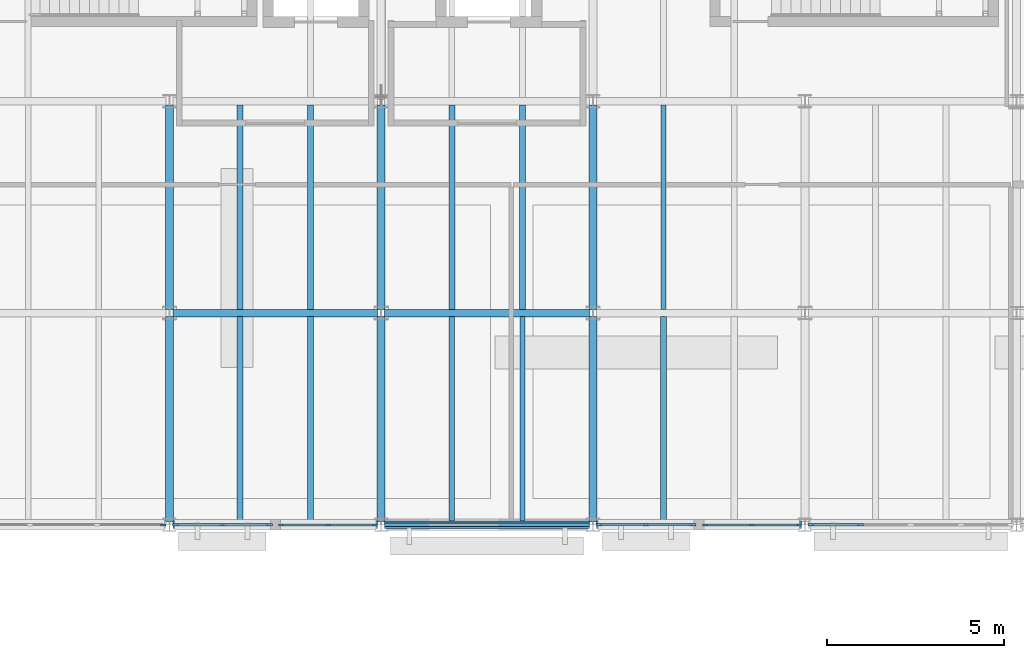
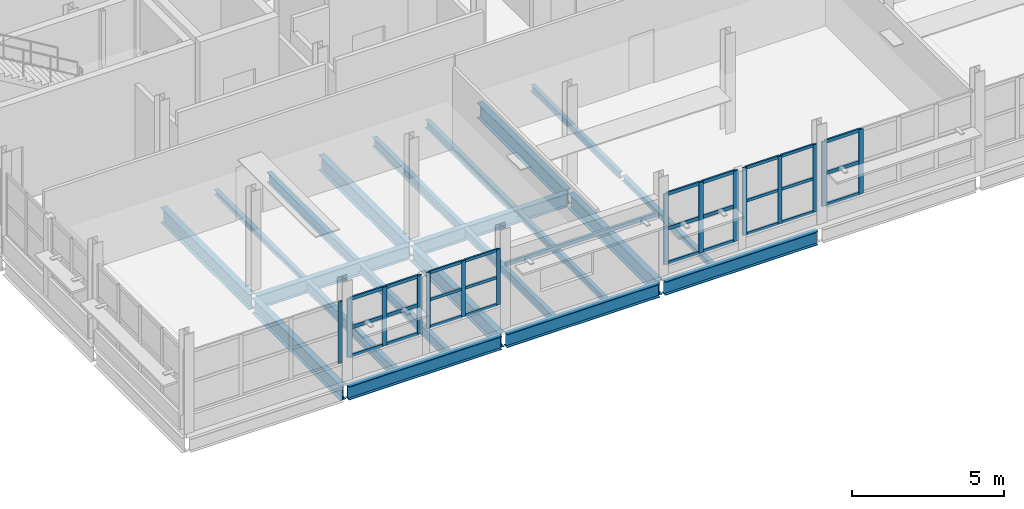
# One storey, part 39 of 92: 42 members, 22 beams, 6 elements without a shape of their own.
"""IFC4 building model written with IfcOpenShell, lengths in metres."""

from ifc_helpers import new_model, si_unit, direction, frame, origin, origin_2d, place, context, subcontext, project, spatial, rectangle, hollow_rectangle, i_section, extrude, material, material_profile, profile_set, type_object, element, aggregate, save


model = new_model("IFC4")

# Units and contexts
model_context = context("Model", 3, precision=1e-05, world=origin(), true_north=direction((0.0, 1.0)))
body_context = subcontext(model_context, "Body", "Model", "MODEL_VIEW")
ifc_project = project(units=[si_unit("LENGTHUNIT", "METRE"), si_unit("AREAUNIT", "SQUARE_METRE"), si_unit("VOLUMEUNIT", "CUBIC_METRE"), si_unit("PLANEANGLEUNIT", "RADIAN"), si_unit("MASSUNIT", "GRAM", prefix="KILO")], contexts=[model_context])

# Site, building, storey
site_placement = place(None, origin())
site = spatial("IfcSite", under=ifc_project, at=site_placement, CompositionType="ELEMENT")
building_placement = place(site_placement, origin())
building = spatial("IfcBuilding", under=site, at=building_placement, Name="Siltcreek Boulevard Central Fire Station", CompositionType="ELEMENT")
storey_placement = place(building_placement, frame((0.0, 0.0, 6.0)))
storey = spatial("IfcBuildingStorey", under=building, at=storey_placement, Name="L02", CompositionType="ELEMENT", Elevation=6.0)

# Beams
ifc_material_1 = material(Name="Structural steel ASTM A992 Gr50", Category="steel")
ifc_material_profile_1 = material_profile(ifc_material_1, i_section(OverallWidth=0.2109375, OverallDepth=0.5390625, WebThickness=0.01171875, FlangeThickness=0.018798828125, at=origin_2d()), Name="W530X109")
ifc_profile_set_1 = profile_set([ifc_material_profile_1], Name="Structural steel ASTM A992 Gr50")
beam_type_1 = type_object("IfcBeamType", Name="BM_W530X109", PredefinedType="BEAM", material=ifc_profile_set_1)
for number, where, z_axis, x_axis, name in (
    (1, (130.300048828125, 88.199951171875, -0.589599609375), (1.0, 0.0, 0.0), (0.0, 1.0, 0.0), "L02 primary steel girder GX-0170"),
    (2, (136.300048828125, 88.199951171875, -0.589599609375), (1.0, 0.0, 0.0), (0.0, 1.0, 0.0), "L02 primary steel girder GX-0171"),
    (3, (142.300048828125, 88.199951171875, -0.589599609375), (1.0, 0.0, 0.0), (0.0, 1.0, 0.0), "L02 primary steel girder GX-0172"),
    (4, (130.300048828125, 94.199951171875, -0.589599609375), (1.0, 0.0, 0.0), (0.0, 1.0, 0.0), "L02 primary steel girder GX-0177"),
    (5, (136.300048828125, 94.199951171875, -0.589599609375), (1.0, 0.0, 0.0), (0.0, 1.0, 0.0), "L02 primary steel girder GX-0178"),
):
    element("IfcBeam", number, at=place(storey_placement, frame(where, z_axis=z_axis, x_axis=x_axis)), inside=storey, type_object=beam_type_1, Name=name, PredefinedType="BEAM", context=body_context, shape_type="SweptSolid", body=[
        extrude(i_section(OverallWidth=0.2109375, OverallDepth=0.5390625, WebThickness=0.01171875, FlangeThickness=0.018798828125, at=origin_2d()), origin(), (0.0, 0.0, 1.0), 5.800048828125),
    ])
ifc_material_profile_2 = material_profile(ifc_material_1, i_section(OverallWidth=0.22802734375, OverallDepth=0.60791015625, WebThickness=0.01123046875, FlangeThickness=0.017333984375, at=origin_2d()), Name="W610X113")
ifc_profile_set_2 = profile_set([ifc_material_profile_2], Name="Structural steel ASTM A992 Gr50")
beam_type_2 = type_object("IfcBeamType", Name="BM_W610X113", PredefinedType="BEAM", material=ifc_profile_set_2)
for number, where, z_axis, x_axis, name in (
    (6, (130.199951171875, 88.300048828125, -0.6240234375), (0.0, 1.0, 0.0), (-1.0, 0.0, 0.0), "L02 primary steel girder GY-0208"),
    (7, (130.199951171875, 94.300048828125, -0.6240234375), (0.0, 1.0, 0.0), (-1.0, 0.0, 0.0), "L02 primary steel girder GY-0209"),
    (8, (136.199951171875, 88.300048828125, -0.6240234375), (0.0, 1.0, 0.0), (-1.0, 0.0, 0.0), "L02 primary steel girder GY-0211"),
    (9, (136.199951171875, 94.300048828125, -0.6240234375), (0.0, 1.0, 0.0), (-1.0, 0.0, 0.0), "L02 primary steel girder GY-0212"),
    (10, (142.199951171875, 88.300048828125, -0.6240234375), (0.0, 1.0, 0.0), (-1.0, 0.0, 0.0), "L02 primary steel girder GY-0215"),
    (11, (142.199951171875, 94.300048828125, -0.6240234375), (0.0, 1.0, 0.0), (-1.0, 0.0, 0.0), "L02 primary steel girder GY-0216"),
):
    element("IfcBeam", number, at=place(storey_placement, frame(where, z_axis=z_axis, x_axis=x_axis)), inside=storey, type_object=beam_type_2, Name=name, PredefinedType="BEAM", context=body_context, shape_type="SweptSolid", body=[
        extrude(i_section(OverallWidth=0.22802734375, OverallDepth=0.60791015625, WebThickness=0.01123046875, FlangeThickness=0.017333984375, at=origin_2d()), origin(), (0.0, 0.0, 1.0), 5.800048828125),
    ])

# Curtain wall, member
ifc_material_2 = material(Name="Anodized aluminum and low-E insulated glazing", Category="aluminium")
curtain_wall_type_1 = type_object("IfcCurtainWallType", Name="CW_SYS_04", PredefinedType="USERDEFINED", material=ifc_material_2)
curtain_wall_1_placement = place(storey_placement, origin())
curtain_wall_1 = element("IfcCurtainWall", 12, at=curtain_wall_1_placement, inside=storey, type_object=curtain_wall_type_1, Name="L02 V5 unitised curtain wall CW-123", ObjectType="CURTAIN WALL", PredefinedType="USERDEFINED")
ifc_material_3 = material(Name="Anodized 6063-T6 aluminum framing", Category="aluminium")
ifc_material_profile_3 = material_profile(ifc_material_3, rectangle(XDim=0.06005859375, YDim=0.14990234375, at=origin_2d()), Name="MULL60X150")
ifc_profile_set_3 = profile_set([ifc_material_profile_3], Name="Anodized 6063-T6 aluminum framing")
member_type_1 = type_object("IfcMemberType", Name="CWM_60X150", PredefinedType="MULLION", material=ifc_profile_set_3)
member_1_placement = place(storey_placement, frame((130.02490234375, 88.199951171875, 0.679931640625), z_axis=(0.0, 0.0, 1.0), x_axis=(0.0, 1.0, 0.0)))
member_1 = element("IfcMember", 13, at=member_1_placement, type_object=member_type_1, Name="CW-123 mullion 4", PredefinedType="MULLION", context=body_context, shape_type="SweptSolid", body=[
    extrude(rectangle(XDim=0.06005859375, YDim=0.14990234375, at=origin_2d()), origin(), (0.0, 0.0, 1.0), 2.47314453125),
])
aggregate(curtain_wall_1, [member_1])

# Curtain wall, members
curtain_wall_type_2 = type_object("IfcCurtainWallType", Name="CW_SYS_06", PredefinedType="USERDEFINED", material=ifc_material_2)
curtain_wall_2_placement = place(storey_placement, origin())
curtain_wall_2 = element("IfcCurtainWall", 14, at=curtain_wall_2_placement, inside=storey, type_object=curtain_wall_type_2, Name="L02 V5 unitised curtain wall CW-125", ObjectType="CURTAIN WALL", PredefinedType="USERDEFINED")
member_2_placement = place(storey_placement, frame((133.3701171875, 88.199951171875, 0.919921875), z_axis=(0.0, 0.0, 1.0), x_axis=(0.0, 1.0, 0.0)))
member_2 = element("IfcMember", 15, at=member_2_placement, type_object=member_type_1, Name="CW-125 mullion 1", PredefinedType="MULLION", context=body_context, shape_type="SweptSolid", body=[
    extrude(rectangle(XDim=0.06005859375, YDim=0.14990234375, at=origin_2d()), origin(), (0.0, 0.0, 1.0), 2.233154296875),
])
member_3_placement = place(storey_placement, frame((134.697509765625, 88.199951171875, 0.919921875), z_axis=(0.0, 0.0, 1.0), x_axis=(0.0, 1.0, 0.0)))
member_3 = element("IfcMember", 16, at=member_3_placement, type_object=member_type_1, Name="CW-125 mullion 2", PredefinedType="MULLION", context=body_context, shape_type="SweptSolid", body=[
    extrude(rectangle(XDim=0.06005859375, YDim=0.14990234375, at=origin_2d()), origin(), (0.0, 0.0, 1.0), 2.233154296875),
])
member_4_placement = place(storey_placement, frame((136.02490234375, 88.199951171875, 0.919921875), z_axis=(0.0, 0.0, 1.0), x_axis=(0.0, 1.0, 0.0)))
member_4 = element("IfcMember", 17, at=member_4_placement, type_object=member_type_1, Name="CW-125 mullion 3", PredefinedType="MULLION", context=body_context, shape_type="SweptSolid", body=[
    extrude(rectangle(XDim=0.06005859375, YDim=0.14990234375, at=origin_2d()), origin(), (0.0, 0.0, 1.0), 2.233154296875),
])

curtain_wall_type_3 = type_object("IfcCurtainWallType", Name="CW_SYS_08", PredefinedType="USERDEFINED", material=ifc_material_2)
curtain_wall_3_placement = place(storey_placement, origin())
curtain_wall_3 = element("IfcCurtainWall", 18, at=curtain_wall_3_placement, inside=storey, type_object=curtain_wall_type_3, Name="L02 V5 unitised curtain wall CW-127", ObjectType="CURTAIN WALL", PredefinedType="USERDEFINED")
member_5_placement = place(storey_placement, frame((145.3701171875, 88.199951171875, 0.43994140625), z_axis=(0.0, 0.0, 1.0), x_axis=(0.0, 1.0, 0.0)))
member_5 = element("IfcMember", 19, at=member_5_placement, type_object=member_type_1, Name="CW-127 mullion 1", PredefinedType="MULLION", context=body_context, shape_type="SweptSolid", body=[
    extrude(rectangle(XDim=0.06005859375, YDim=0.14990234375, at=origin_2d()), origin(), (0.0, 0.0, 1.0), 2.713134765625),
])
member_6_placement = place(storey_placement, frame((146.697509765625, 88.199951171875, 0.43994140625), z_axis=(0.0, 0.0, 1.0), x_axis=(0.0, 1.0, 0.0)))
member_6 = element("IfcMember", 20, at=member_6_placement, type_object=member_type_1, Name="CW-127 mullion 2", PredefinedType="MULLION", context=body_context, shape_type="SweptSolid", body=[
    extrude(rectangle(XDim=0.06005859375, YDim=0.14990234375, at=origin_2d()), origin(), (0.0, 0.0, 1.0), 2.713134765625),
])
member_7_placement = place(storey_placement, frame((148.02490234375, 88.199951171875, 0.43994140625), z_axis=(0.0, 0.0, 1.0), x_axis=(0.0, 1.0, 0.0)))
member_7 = element("IfcMember", 21, at=member_7_placement, type_object=member_type_1, Name="CW-127 mullion 3", PredefinedType="MULLION", context=body_context, shape_type="SweptSolid", body=[
    extrude(rectangle(XDim=0.06005859375, YDim=0.14990234375, at=origin_2d()), origin(), (0.0, 0.0, 1.0), 2.713134765625),
])

curtain_wall_type_4 = type_object("IfcCurtainWallType", Name="CW_SYS_05", PredefinedType="USERDEFINED", material=ifc_material_2)
curtain_wall_4_placement = place(storey_placement, origin())
curtain_wall_4 = element("IfcCurtainWall", 22, at=curtain_wall_4_placement, inside=storey, type_object=curtain_wall_type_4, Name="L02 V5 unitised curtain wall CW-124", ObjectType="CURTAIN WALL", PredefinedType="USERDEFINED")
ifc_material_profile_4 = material_profile(ifc_material_3, rectangle(XDim=0.06494140625, YDim=0.175048828125, at=origin_2d()), Name="MULL65X175")
ifc_profile_set_4 = profile_set([ifc_material_profile_4], Name="Anodized 6063-T6 aluminum framing")
member_type_2 = type_object("IfcMemberType", Name="CWM_65X175", PredefinedType="MULLION", material=ifc_profile_set_4)
member_8_placement = place(storey_placement, frame((130.37744140625, 88.199951171875, 0.800048828125), z_axis=(0.0, 0.0, 1.0), x_axis=(0.0, 1.0, 0.0)))
member_8 = element("IfcMember", 23, at=member_8_placement, type_object=member_type_2, Name="CW-124 mullion 1", PredefinedType="MULLION", context=body_context, shape_type="SweptSolid", body=[
    extrude(rectangle(XDim=0.06494140625, YDim=0.175048828125, at=origin_2d()), origin(), (0.0, 0.0, 1.0), 2.35302734375),
])
member_9_placement = place(storey_placement, frame((131.702392578125, 88.199951171875, 0.800048828125), z_axis=(0.0, 0.0, 1.0), x_axis=(0.0, 1.0, 0.0)))
member_9 = element("IfcMember", 24, at=member_9_placement, type_object=member_type_2, Name="CW-124 mullion 2", PredefinedType="MULLION", context=body_context, shape_type="SweptSolid", body=[
    extrude(rectangle(XDim=0.06494140625, YDim=0.175048828125, at=origin_2d()), origin(), (0.0, 0.0, 1.0), 2.35302734375),
])
member_10_placement = place(storey_placement, frame((133.027587890625, 88.199951171875, 0.800048828125), z_axis=(0.0, 0.0, 1.0), x_axis=(0.0, 1.0, 0.0)))
member_10 = element("IfcMember", 25, at=member_10_placement, type_object=member_type_2, Name="CW-124 mullion 3", PredefinedType="MULLION", context=body_context, shape_type="SweptSolid", body=[
    extrude(rectangle(XDim=0.06494140625, YDim=0.175048828125, at=origin_2d()), origin(), (0.0, 0.0, 1.0), 2.35302734375),
])

curtain_wall_type_5 = type_object("IfcCurtainWallType", Name="CW_SYS_07", PredefinedType="USERDEFINED", material=ifc_material_2)
curtain_wall_5_placement = place(storey_placement, origin())
curtain_wall_5 = element("IfcCurtainWall", 26, at=curtain_wall_5_placement, inside=storey, type_object=curtain_wall_type_5, Name="L02 V5 unitised curtain wall CW-126", ObjectType="CURTAIN WALL", PredefinedType="USERDEFINED")
member_11_placement = place(storey_placement, frame((142.37744140625, 88.199951171875, 0.320068359375), z_axis=(0.0, 0.0, 1.0), x_axis=(0.0, 1.0, 0.0)))
member_11 = element("IfcMember", 27, at=member_11_placement, type_object=member_type_2, Name="CW-126 mullion 1", PredefinedType="MULLION", context=body_context, shape_type="SweptSolid", body=[
    extrude(rectangle(XDim=0.06494140625, YDim=0.175048828125, at=origin_2d()), origin(), (0.0, 0.0, 1.0), 2.8330078125),
])
member_12_placement = place(storey_placement, frame((143.702392578125, 88.199951171875, 0.320068359375), z_axis=(0.0, 0.0, 1.0), x_axis=(0.0, 1.0, 0.0)))
member_12 = element("IfcMember", 28, at=member_12_placement, type_object=member_type_2, Name="CW-126 mullion 2", PredefinedType="MULLION", context=body_context, shape_type="SweptSolid", body=[
    extrude(rectangle(XDim=0.06494140625, YDim=0.175048828125, at=origin_2d()), origin(), (0.0, 0.0, 1.0), 2.8330078125),
])
member_13_placement = place(storey_placement, frame((145.027587890625, 88.199951171875, 0.320068359375), z_axis=(0.0, 0.0, 1.0), x_axis=(0.0, 1.0, 0.0)))
member_13 = element("IfcMember", 29, at=member_13_placement, type_object=member_type_2, Name="CW-126 mullion 3", PredefinedType="MULLION", context=body_context, shape_type="SweptSolid", body=[
    extrude(rectangle(XDim=0.06494140625, YDim=0.175048828125, at=origin_2d()), origin(), (0.0, 0.0, 1.0), 2.8330078125),
])

curtain_wall_type_6 = type_object("IfcCurtainWallType", Name="CW_SYS_09", PredefinedType="USERDEFINED", material=ifc_material_2)
curtain_wall_6_placement = place(storey_placement, origin())
curtain_wall_6 = element("IfcCurtainWall", 30, at=curtain_wall_6_placement, inside=storey, type_object=curtain_wall_type_6, Name="L02 V5 unitised curtain wall CW-128", ObjectType="CURTAIN WALL", PredefinedType="USERDEFINED")
member_14_placement = place(storey_placement, frame((148.37744140625, 88.199951171875, 0.56005859375), z_axis=(0.0, 0.0, 1.0), x_axis=(0.0, 1.0, 0.0)))
member_14 = element("IfcMember", 31, at=member_14_placement, type_object=member_type_2, Name="CW-128 mullion 1", PredefinedType="MULLION", context=body_context, shape_type="SweptSolid", body=[
    extrude(rectangle(XDim=0.06494140625, YDim=0.175048828125, at=origin_2d()), origin(), (0.0, 0.0, 1.0), 2.593017578125),
])
member_15_placement = place(storey_placement, frame((149.7724609375, 88.199951171875, 0.56005859375), z_axis=(0.0, 0.0, 1.0), x_axis=(0.0, 1.0, 0.0)))
member_15 = element("IfcMember", 32, at=member_15_placement, type_object=member_type_2, Name="CW-128 mullion 2", PredefinedType="MULLION", context=body_context, shape_type="SweptSolid", body=[
    extrude(rectangle(XDim=0.06494140625, YDim=0.175048828125, at=origin_2d()), origin(), (0.0, 0.0, 1.0), 2.593017578125),
])

# Member
ifc_material_profile_5 = material_profile(ifc_material_3, rectangle(XDim=0.06005859375, YDim=0.114990234375, at=origin_2d()), Name="TRAN60X115")
ifc_profile_set_5 = profile_set([ifc_material_profile_5], Name="Anodized 6063-T6 aluminum framing")
member_type_3 = type_object("IfcMemberType", Name="CWT_60X115", PredefinedType="USERDEFINED", material=ifc_profile_set_5)
member_16_placement = place(storey_placement, frame((133.39990234375, 88.199951171875, 0.949951171875), z_axis=(1.0, 0.0, 0.0), x_axis=(0.0, 1.0, 0.0)))
member_16 = element("IfcMember", 33, at=member_16_placement, type_object=member_type_3, Name="CW-125 transom 1.1", ObjectType="TRANSOM", PredefinedType="USERDEFINED", context=body_context, shape_type="SweptSolid", body=[
    extrude(rectangle(XDim=0.06005859375, YDim=0.114990234375, at=origin_2d()), origin(), (0.0, 0.0, 1.0), 1.267578125),
])

member_17_placement = place(storey_placement, frame((133.39990234375, 88.199951171875, 2.03662109375), z_axis=(1.0, 0.0, 0.0), x_axis=(0.0, 1.0, 0.0)))
member_17 = element("IfcMember", 34, at=member_17_placement, type_object=member_type_3, Name="CW-125 transom 1.2", ObjectType="TRANSOM", PredefinedType="USERDEFINED", context=body_context, shape_type="SweptSolid", body=[
    extrude(rectangle(XDim=0.06005859375, YDim=0.114990234375, at=origin_2d()), origin(), (0.0, 0.0, 1.0), 1.267578125),
])

member_18_placement = place(storey_placement, frame((133.39990234375, 88.199951171875, 3.123046875), z_axis=(1.0, 0.0, 0.0), x_axis=(0.0, 1.0, 0.0)))
member_18 = element("IfcMember", 35, at=member_18_placement, type_object=member_type_3, Name="CW-125 transom 1.3", ObjectType="TRANSOM", PredefinedType="USERDEFINED", context=body_context, shape_type="SweptSolid", body=[
    extrude(rectangle(XDim=0.06005859375, YDim=0.114990234375, at=origin_2d()), origin(), (0.0, 0.0, 1.0), 1.267578125),
])

member_19_placement = place(storey_placement, frame((134.7275390625, 88.199951171875, 0.949951171875), z_axis=(1.0, 0.0, 0.0), x_axis=(0.0, 1.0, 0.0)))
member_19 = element("IfcMember", 36, at=member_19_placement, type_object=member_type_3, Name="CW-125 transom 2.1", ObjectType="TRANSOM", PredefinedType="USERDEFINED", context=body_context, shape_type="SweptSolid", body=[
    extrude(rectangle(XDim=0.06005859375, YDim=0.114990234375, at=origin_2d()), origin(), (0.0, 0.0, 1.0), 1.267578125),
])

member_20_placement = place(storey_placement, frame((134.7275390625, 88.199951171875, 2.03662109375), z_axis=(1.0, 0.0, 0.0), x_axis=(0.0, 1.0, 0.0)))
member_20 = element("IfcMember", 37, at=member_20_placement, type_object=member_type_3, Name="CW-125 transom 2.2", ObjectType="TRANSOM", PredefinedType="USERDEFINED", context=body_context, shape_type="SweptSolid", body=[
    extrude(rectangle(XDim=0.06005859375, YDim=0.114990234375, at=origin_2d()), origin(), (0.0, 0.0, 1.0), 1.267578125),
])

member_21_placement = place(storey_placement, frame((134.7275390625, 88.199951171875, 3.123046875), z_axis=(1.0, 0.0, 0.0), x_axis=(0.0, 1.0, 0.0)))
member_21 = element("IfcMember", 38, at=member_21_placement, type_object=member_type_3, Name="CW-125 transom 2.3", ObjectType="TRANSOM", PredefinedType="USERDEFINED", context=body_context, shape_type="SweptSolid", body=[
    extrude(rectangle(XDim=0.06005859375, YDim=0.114990234375, at=origin_2d()), origin(), (0.0, 0.0, 1.0), 1.267578125),
])

aggregate(curtain_wall_2, [member_2, member_3, member_4, member_16, member_17, member_18, member_19, member_20, member_21])

member_22_placement = place(storey_placement, frame((145.39990234375, 88.199951171875, 0.469970703125), z_axis=(1.0, 0.0, 0.0), x_axis=(0.0, 1.0, 0.0)))
member_22 = element("IfcMember", 39, at=member_22_placement, type_object=member_type_3, Name="CW-127 transom 1.1", ObjectType="TRANSOM", PredefinedType="USERDEFINED", context=body_context, shape_type="SweptSolid", body=[
    extrude(rectangle(XDim=0.06005859375, YDim=0.114990234375, at=origin_2d()), origin(), (0.0, 0.0, 1.0), 1.267578125),
])

member_23_placement = place(storey_placement, frame((145.39990234375, 88.199951171875, 1.79638671875), z_axis=(1.0, 0.0, 0.0), x_axis=(0.0, 1.0, 0.0)))
member_23 = element("IfcMember", 40, at=member_23_placement, type_object=member_type_3, Name="CW-127 transom 1.2", ObjectType="TRANSOM", PredefinedType="USERDEFINED", context=body_context, shape_type="SweptSolid", body=[
    extrude(rectangle(XDim=0.06005859375, YDim=0.114990234375, at=origin_2d()), origin(), (0.0, 0.0, 1.0), 1.267578125),
])

member_24_placement = place(storey_placement, frame((145.39990234375, 88.199951171875, 3.123046875), z_axis=(1.0, 0.0, 0.0), x_axis=(0.0, 1.0, 0.0)))
member_24 = element("IfcMember", 41, at=member_24_placement, type_object=member_type_3, Name="CW-127 transom 1.3", ObjectType="TRANSOM", PredefinedType="USERDEFINED", context=body_context, shape_type="SweptSolid", body=[
    extrude(rectangle(XDim=0.06005859375, YDim=0.114990234375, at=origin_2d()), origin(), (0.0, 0.0, 1.0), 1.267578125),
])

member_25_placement = place(storey_placement, frame((146.7275390625, 88.199951171875, 0.469970703125), z_axis=(1.0, 0.0, 0.0), x_axis=(0.0, 1.0, 0.0)))
member_25 = element("IfcMember", 42, at=member_25_placement, type_object=member_type_3, Name="CW-127 transom 2.1", ObjectType="TRANSOM", PredefinedType="USERDEFINED", context=body_context, shape_type="SweptSolid", body=[
    extrude(rectangle(XDim=0.06005859375, YDim=0.114990234375, at=origin_2d()), origin(), (0.0, 0.0, 1.0), 1.267578125),
])

member_26_placement = place(storey_placement, frame((146.7275390625, 88.199951171875, 1.79638671875), z_axis=(1.0, 0.0, 0.0), x_axis=(0.0, 1.0, 0.0)))
member_26 = element("IfcMember", 43, at=member_26_placement, type_object=member_type_3, Name="CW-127 transom 2.2", ObjectType="TRANSOM", PredefinedType="USERDEFINED", context=body_context, shape_type="SweptSolid", body=[
    extrude(rectangle(XDim=0.06005859375, YDim=0.114990234375, at=origin_2d()), origin(), (0.0, 0.0, 1.0), 1.267578125),
])

member_27_placement = place(storey_placement, frame((146.7275390625, 88.199951171875, 3.123046875), z_axis=(1.0, 0.0, 0.0), x_axis=(0.0, 1.0, 0.0)))
member_27 = element("IfcMember", 44, at=member_27_placement, type_object=member_type_3, Name="CW-127 transom 2.3", ObjectType="TRANSOM", PredefinedType="USERDEFINED", context=body_context, shape_type="SweptSolid", body=[
    extrude(rectangle(XDim=0.06005859375, YDim=0.114990234375, at=origin_2d()), origin(), (0.0, 0.0, 1.0), 1.267578125),
])

aggregate(curtain_wall_3, [member_5, member_6, member_7, member_22, member_23, member_24, member_25, member_26, member_27])

ifc_material_profile_6 = material_profile(ifc_material_3, rectangle(XDim=0.06494140625, YDim=0.135009765625, at=origin_2d()), Name="TRAN65X135")
ifc_profile_set_6 = profile_set([ifc_material_profile_6], Name="Anodized 6063-T6 aluminum framing")
member_type_4 = type_object("IfcMemberType", Name="CWT_65X135", PredefinedType="USERDEFINED", material=ifc_profile_set_6)
member_28_placement = place(storey_placement, frame((130.409912109375, 88.199951171875, 0.83251953125), z_axis=(1.0, 0.0, 0.0), x_axis=(0.0, 1.0, 0.0)))
member_28 = element("IfcMember", 45, at=member_28_placement, type_object=member_type_4, Name="CW-124 transom 1.1", ObjectType="TRANSOM", PredefinedType="USERDEFINED", context=body_context, shape_type="SweptSolid", body=[
    extrude(rectangle(XDim=0.06494140625, YDim=0.135009765625, at=origin_2d()), origin(), (0.0, 0.0, 1.0), 1.260009765625),
])

member_29_placement = place(storey_placement, frame((130.409912109375, 88.199951171875, 1.9765625), z_axis=(1.0, 0.0, 0.0), x_axis=(0.0, 1.0, 0.0)))
member_29 = element("IfcMember", 46, at=member_29_placement, type_object=member_type_4, Name="CW-124 transom 1.2", ObjectType="TRANSOM", PredefinedType="USERDEFINED", context=body_context, shape_type="SweptSolid", body=[
    extrude(rectangle(XDim=0.06494140625, YDim=0.135009765625, at=origin_2d()), origin(), (0.0, 0.0, 1.0), 1.260009765625),
])

member_30_placement = place(storey_placement, frame((130.409912109375, 88.199951171875, 3.12060546875), z_axis=(1.0, 0.0, 0.0), x_axis=(0.0, 1.0, 0.0)))
member_30 = element("IfcMember", 47, at=member_30_placement, type_object=member_type_4, Name="CW-124 transom 1.3", ObjectType="TRANSOM", PredefinedType="USERDEFINED", context=body_context, shape_type="SweptSolid", body=[
    extrude(rectangle(XDim=0.06494140625, YDim=0.135009765625, at=origin_2d()), origin(), (0.0, 0.0, 1.0), 1.260009765625),
])

member_31_placement = place(storey_placement, frame((131.735107421875, 88.199951171875, 0.83251953125), z_axis=(1.0, 0.0, 0.0), x_axis=(0.0, 1.0, 0.0)))
member_31 = element("IfcMember", 48, at=member_31_placement, type_object=member_type_4, Name="CW-124 transom 2.1", ObjectType="TRANSOM", PredefinedType="USERDEFINED", context=body_context, shape_type="SweptSolid", body=[
    extrude(rectangle(XDim=0.06494140625, YDim=0.135009765625, at=origin_2d()), origin(), (0.0, 0.0, 1.0), 1.260009765625),
])

member_32_placement = place(storey_placement, frame((131.735107421875, 88.199951171875, 1.9765625), z_axis=(1.0, 0.0, 0.0), x_axis=(0.0, 1.0, 0.0)))
member_32 = element("IfcMember", 49, at=member_32_placement, type_object=member_type_4, Name="CW-124 transom 2.2", ObjectType="TRANSOM", PredefinedType="USERDEFINED", context=body_context, shape_type="SweptSolid", body=[
    extrude(rectangle(XDim=0.06494140625, YDim=0.135009765625, at=origin_2d()), origin(), (0.0, 0.0, 1.0), 1.260009765625),
])

member_33_placement = place(storey_placement, frame((131.735107421875, 88.199951171875, 3.12060546875), z_axis=(1.0, 0.0, 0.0), x_axis=(0.0, 1.0, 0.0)))
member_33 = element("IfcMember", 50, at=member_33_placement, type_object=member_type_4, Name="CW-124 transom 2.3", ObjectType="TRANSOM", PredefinedType="USERDEFINED", context=body_context, shape_type="SweptSolid", body=[
    extrude(rectangle(XDim=0.06494140625, YDim=0.135009765625, at=origin_2d()), origin(), (0.0, 0.0, 1.0), 1.260009765625),
])

aggregate(curtain_wall_4, [member_8, member_9, member_10, member_28, member_29, member_30, member_31, member_32, member_33])

member_34_placement = place(storey_placement, frame((142.409912109375, 88.199951171875, 0.3525390625), z_axis=(1.0, 0.0, 0.0), x_axis=(0.0, 1.0, 0.0)))
member_34 = element("IfcMember", 51, at=member_34_placement, type_object=member_type_4, Name="CW-126 transom 1.1", ObjectType="TRANSOM", PredefinedType="USERDEFINED", context=body_context, shape_type="SweptSolid", body=[
    extrude(rectangle(XDim=0.06494140625, YDim=0.135009765625, at=origin_2d()), origin(), (0.0, 0.0, 1.0), 1.260009765625),
])

member_35_placement = place(storey_placement, frame((142.409912109375, 88.199951171875, 1.736572265625), z_axis=(1.0, 0.0, 0.0), x_axis=(0.0, 1.0, 0.0)))
member_35 = element("IfcMember", 52, at=member_35_placement, type_object=member_type_4, Name="CW-126 transom 1.2", ObjectType="TRANSOM", PredefinedType="USERDEFINED", context=body_context, shape_type="SweptSolid", body=[
    extrude(rectangle(XDim=0.06494140625, YDim=0.135009765625, at=origin_2d()), origin(), (0.0, 0.0, 1.0), 1.260009765625),
])

member_36_placement = place(storey_placement, frame((142.409912109375, 88.199951171875, 3.12060546875), z_axis=(1.0, 0.0, 0.0), x_axis=(0.0, 1.0, 0.0)))
member_36 = element("IfcMember", 53, at=member_36_placement, type_object=member_type_4, Name="CW-126 transom 1.3", ObjectType="TRANSOM", PredefinedType="USERDEFINED", context=body_context, shape_type="SweptSolid", body=[
    extrude(rectangle(XDim=0.06494140625, YDim=0.135009765625, at=origin_2d()), origin(), (0.0, 0.0, 1.0), 1.260009765625),
])

member_37_placement = place(storey_placement, frame((143.735107421875, 88.199951171875, 0.3525390625), z_axis=(1.0, 0.0, 0.0), x_axis=(0.0, 1.0, 0.0)))
member_37 = element("IfcMember", 54, at=member_37_placement, type_object=member_type_4, Name="CW-126 transom 2.1", ObjectType="TRANSOM", PredefinedType="USERDEFINED", context=body_context, shape_type="SweptSolid", body=[
    extrude(rectangle(XDim=0.06494140625, YDim=0.135009765625, at=origin_2d()), origin(), (0.0, 0.0, 1.0), 1.260009765625),
])

member_38_placement = place(storey_placement, frame((143.735107421875, 88.199951171875, 1.736572265625), z_axis=(1.0, 0.0, 0.0), x_axis=(0.0, 1.0, 0.0)))
member_38 = element("IfcMember", 55, at=member_38_placement, type_object=member_type_4, Name="CW-126 transom 2.2", ObjectType="TRANSOM", PredefinedType="USERDEFINED", context=body_context, shape_type="SweptSolid", body=[
    extrude(rectangle(XDim=0.06494140625, YDim=0.135009765625, at=origin_2d()), origin(), (0.0, 0.0, 1.0), 1.260009765625),
])

member_39_placement = place(storey_placement, frame((143.735107421875, 88.199951171875, 3.12060546875), z_axis=(1.0, 0.0, 0.0), x_axis=(0.0, 1.0, 0.0)))
member_39 = element("IfcMember", 56, at=member_39_placement, type_object=member_type_4, Name="CW-126 transom 2.3", ObjectType="TRANSOM", PredefinedType="USERDEFINED", context=body_context, shape_type="SweptSolid", body=[
    extrude(rectangle(XDim=0.06494140625, YDim=0.135009765625, at=origin_2d()), origin(), (0.0, 0.0, 1.0), 1.260009765625),
])

aggregate(curtain_wall_5, [member_11, member_12, member_13, member_34, member_35, member_36, member_37, member_38, member_39])

member_40_placement = place(storey_placement, frame((148.409912109375, 88.199951171875, 0.592529296875), z_axis=(1.0, 0.0, 0.0), x_axis=(0.0, 1.0, 0.0)))
member_40 = element("IfcMember", 57, at=member_40_placement, type_object=member_type_4, Name="CW-128 transom 1.1", ObjectType="TRANSOM", PredefinedType="USERDEFINED", context=body_context, shape_type="SweptSolid", body=[
    extrude(rectangle(XDim=0.06494140625, YDim=0.135009765625, at=origin_2d()), origin(), (0.0, 0.0, 1.0), 1.330078125),
])

member_41_placement = place(storey_placement, frame((148.409912109375, 88.199951171875, 1.8564453125), z_axis=(1.0, 0.0, 0.0), x_axis=(0.0, 1.0, 0.0)))
member_41 = element("IfcMember", 58, at=member_41_placement, type_object=member_type_4, Name="CW-128 transom 1.2", ObjectType="TRANSOM", PredefinedType="USERDEFINED", context=body_context, shape_type="SweptSolid", body=[
    extrude(rectangle(XDim=0.06494140625, YDim=0.135009765625, at=origin_2d()), origin(), (0.0, 0.0, 1.0), 1.330078125),
])

member_42_placement = place(storey_placement, frame((148.409912109375, 88.199951171875, 3.12060546875), z_axis=(1.0, 0.0, 0.0), x_axis=(0.0, 1.0, 0.0)))
member_42 = element("IfcMember", 59, at=member_42_placement, type_object=member_type_4, Name="CW-128 transom 1.3", ObjectType="TRANSOM", PredefinedType="USERDEFINED", context=body_context, shape_type="SweptSolid", body=[
    extrude(rectangle(XDim=0.06494140625, YDim=0.135009765625, at=origin_2d()), origin(), (0.0, 0.0, 1.0), 1.330078125),
])

aggregate(curtain_wall_6, [member_14, member_15, member_40, member_41, member_42])

# Beams
ifc_material_profile_7 = material_profile(ifc_material_1, i_section(OverallWidth=0.1650390625, OverallDepth=0.200927734375, WebThickness=0.006103515625, FlangeThickness=0.01025390625, at=origin_2d()), Name="W200X36")
ifc_profile_set_7 = profile_set([ifc_material_profile_7], Name="Structural steel ASTM A992 Gr50")
beam_type_3 = type_object("IfcBeamType", Name="JST_W200X36", PredefinedType="JOIST", material=ifc_profile_set_7)
for number, where, z_axis, x_axis, name in (
    (60, (144.199951171875, 88.303466796875, -0.42041015625), (0.0, 1.0, 0.0), (-1.0, 0.0, 0.0), "L02 secondary steel floor joist 0147"),
    (61, (132.199951171875, 94.303466796875, -0.42041015625), (0.0, 1.0, 0.0), (-1.0, 0.0, 0.0), "L02 secondary steel floor joist 0157"),
):
    element("IfcBeam", number, at=place(storey_placement, frame(where, z_axis=z_axis, x_axis=x_axis)), inside=storey, type_object=beam_type_3, Name=name, PredefinedType="JOIST", context=body_context, shape_type="SweptSolid", body=[
        extrude(i_section(OverallWidth=0.1650390625, OverallDepth=0.200927734375, WebThickness=0.006103515625, FlangeThickness=0.01025390625, at=origin_2d()), origin(), (0.0, 0.0, 1.0), 5.79296875),
    ])
ifc_material_profile_8 = material_profile(ifc_material_1, i_section(OverallWidth=0.14697265625, OverallDepth=0.261962890625, WebThickness=0.006591796875, FlangeThickness=0.01123046875, at=origin_2d()), Name="W250X39")
ifc_profile_set_8 = profile_set([ifc_material_profile_8], Name="Structural steel ASTM A992 Gr50")
beam_type_4 = type_object("IfcBeamType", Name="JST_W250X39", PredefinedType="JOIST", material=ifc_profile_set_8)
for number, where, z_axis, x_axis, name in (
    (62, (140.199951171875, 88.303466796875, -0.450927734375), (0.0, 1.0, 0.0), (-1.0, 0.0, 0.0), "L02 secondary steel floor joist 0146"),
    (63, (144.199951171875, 94.303466796875, -0.450927734375), (0.0, 1.0, 0.0), (-1.0, 0.0, 0.0), "L02 secondary steel floor joist 0161"),
):
    element("IfcBeam", number, at=place(storey_placement, frame(where, z_axis=z_axis, x_axis=x_axis)), inside=storey, type_object=beam_type_4, Name=name, PredefinedType="JOIST", context=body_context, shape_type="SweptSolid", body=[
        extrude(i_section(OverallWidth=0.14697265625, OverallDepth=0.261962890625, WebThickness=0.006591796875, FlangeThickness=0.01123046875, at=origin_2d()), origin(), (0.0, 0.0, 1.0), 5.79296875),
    ])
ifc_material_profile_9 = material_profile(ifc_material_1, i_section(OverallWidth=0.166015625, OverallDepth=0.31298828125, WebThickness=0.006591796875, FlangeThickness=0.01123046875, at=origin_2d()), Name="W310X45")
ifc_profile_set_9 = profile_set([ifc_material_profile_9], Name="Structural steel ASTM A992 Gr50")
beam_type_5 = type_object("IfcBeamType", Name="JST_W310X45", PredefinedType="JOIST", material=ifc_profile_set_9)
for number, where, z_axis, x_axis, name in (
    (64, (138.199951171875, 88.303466796875, -0.4765625), (0.0, 1.0, 0.0), (-1.0, 0.0, 0.0), "L02 secondary steel floor joist 0145"),
    (65, (140.199951171875, 94.303466796875, -0.4765625), (0.0, 1.0, 0.0), (-1.0, 0.0, 0.0), "L02 secondary steel floor joist 0160"),
):
    element("IfcBeam", number, at=place(storey_placement, frame(where, z_axis=z_axis, x_axis=x_axis)), inside=storey, type_object=beam_type_5, Name=name, PredefinedType="JOIST", context=body_context, shape_type="SweptSolid", body=[
        extrude(i_section(OverallWidth=0.166015625, OverallDepth=0.31298828125, WebThickness=0.006591796875, FlangeThickness=0.01123046875, at=origin_2d()), origin(), (0.0, 0.0, 1.0), 5.79296875),
    ])
ifc_material_profile_10 = material_profile(ifc_material_1, i_section(OverallWidth=0.172119140625, OverallDepth=0.35791015625, WebThickness=0.0078125, FlangeThickness=0.01318359375, at=origin_2d()), Name="W360X57")
ifc_profile_set_10 = profile_set([ifc_material_profile_10], Name="Structural steel ASTM A992 Gr50")
beam_type_6 = type_object("IfcBeamType", Name="JST_W360X57", PredefinedType="JOIST", material=ifc_profile_set_10)
for number, where, z_axis, x_axis, name in (
    (66, (134.199951171875, 88.303466796875, -0.4990234375), (0.0, 1.0, 0.0), (-1.0, 0.0, 0.0), "L02 secondary steel floor joist 0144"),
    (67, (138.199951171875, 94.303466796875, -0.4990234375), (0.0, 1.0, 0.0), (-1.0, 0.0, 0.0), "L02 secondary steel floor joist 0159"),
):
    element("IfcBeam", number, at=place(storey_placement, frame(where, z_axis=z_axis, x_axis=x_axis)), inside=storey, type_object=beam_type_6, Name=name, PredefinedType="JOIST", context=body_context, shape_type="SweptSolid", body=[
        extrude(i_section(OverallWidth=0.172119140625, OverallDepth=0.35791015625, WebThickness=0.0078125, FlangeThickness=0.01318359375, at=origin_2d()), origin(), (0.0, 0.0, 1.0), 5.79296875),
    ])
ifc_material_profile_11 = material_profile(ifc_material_1, i_section(OverallWidth=0.177001953125, OverallDepth=0.403076171875, WebThickness=0.007568359375, FlangeThickness=0.010986328125, at=origin_2d()), Name="W410X53")
ifc_profile_set_11 = profile_set([ifc_material_profile_11], Name="Structural steel ASTM A992 Gr50")
beam_type_7 = type_object("IfcBeamType", Name="JST_W410X53", PredefinedType="JOIST", material=ifc_profile_set_11)
for number, where, z_axis, x_axis, name in (
    (68, (132.199951171875, 88.303466796875, -0.521484375), (0.0, 1.0, 0.0), (-1.0, 0.0, 0.0), "L02 secondary steel floor joist 0143"),
    (69, (134.199951171875, 94.303466796875, -0.521484375), (0.0, 1.0, 0.0), (-1.0, 0.0, 0.0), "L02 secondary steel floor joist 0158"),
):
    element("IfcBeam", number, at=place(storey_placement, frame(where, z_axis=z_axis, x_axis=x_axis)), inside=storey, type_object=beam_type_7, Name=name, PredefinedType="JOIST", context=body_context, shape_type="SweptSolid", body=[
        extrude(i_section(OverallWidth=0.177001953125, OverallDepth=0.403076171875, WebThickness=0.007568359375, FlangeThickness=0.010986328125, at=origin_2d()), origin(), (0.0, 0.0, 1.0), 5.79296875),
    ])
ifc_material_4 = material(Name="Structural steel ASTM A500 GrC", Category="steel")
ifc_material_profile_12 = material_profile(ifc_material_4, hollow_rectangle(XDim=0.10009765625, YDim=0.14990234375, WallThickness=0.00634765625, at=origin_2d()), Name="HSS150X100X6.4")
ifc_profile_set_12 = profile_set([ifc_material_profile_12], Name="Structural steel ASTM A500 GrC")
beam_type_8 = type_object("IfcBeamType", Name="LIN_HSS150X100", PredefinedType="LINTEL", material=ifc_profile_set_12)
beam_placement = place(storey_placement, frame((136.300048828125, 88.199951171875, 2.449951171875), z_axis=(1.0, 0.0, 0.0), x_axis=(0.0, 1.0, 0.0)))
element("IfcBeam", 70, at=beam_placement, inside=storey, type_object=beam_type_8, Name="Exterior window steel lintel WLN-45", PredefinedType="LINTEL", context=body_context, shape_type="SweptSolid", body=[
    extrude(hollow_rectangle(XDim=0.10009765625, YDim=0.14990234375, WallThickness=0.00634765625, at=origin_2d()), origin(), (0.0, 0.0, 1.0), 5.800048828125),
])

save(model, "model.ifc")
